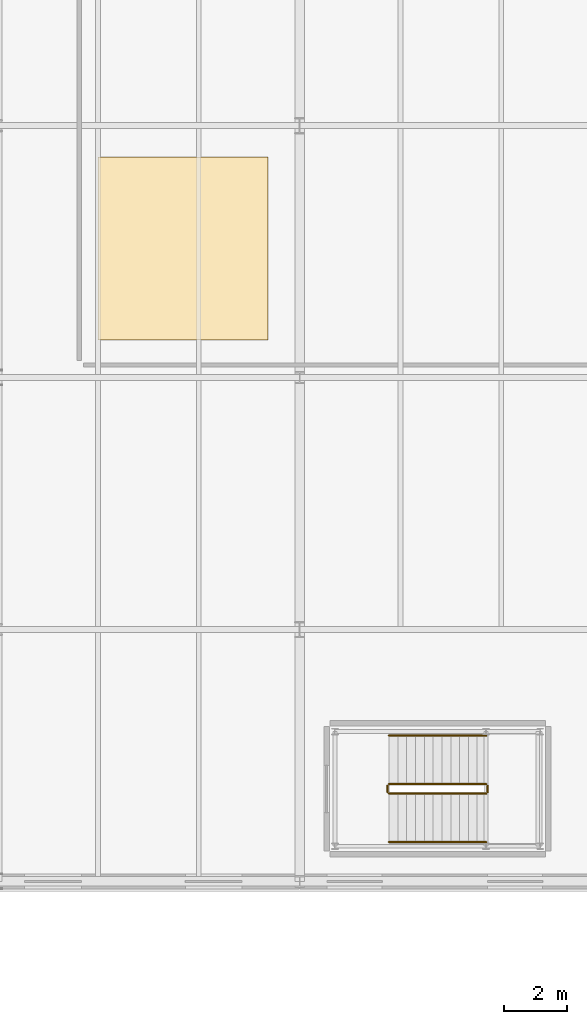
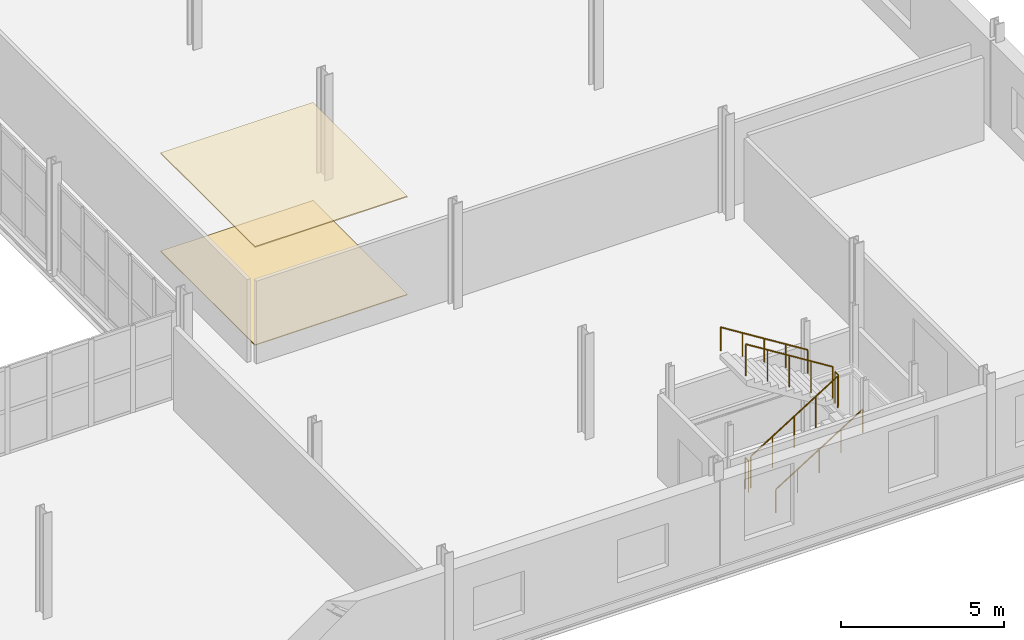
# One storey, part 77 of 78: 6 railings, 2 coverings.
"""IFC4 building model written with IfcOpenShell, lengths in metres."""

from ifc_helpers import new_model, si_unit, direction, frame, origin, origin_2d, place, context, subcontext, project, spatial, polyline, circle, outline, extrude, material, layer, layer_set, type_object, element, save


model = new_model("IFC4")

# Units and contexts
model_context = context("Model", 3, precision=1e-05, world=origin(), true_north=direction((0.0, 1.0)))
body_context = subcontext(model_context, "Body", "Model", "MODEL_VIEW")
ifc_project = project(units=[si_unit("LENGTHUNIT", "METRE"), si_unit("AREAUNIT", "SQUARE_METRE"), si_unit("VOLUMEUNIT", "CUBIC_METRE"), si_unit("PLANEANGLEUNIT", "RADIAN"), si_unit("MASSUNIT", "GRAM", prefix="KILO")], contexts=[model_context])

# Site, building, storey
site_placement = place(None, origin())
site = spatial("IfcSite", under=ifc_project, at=site_placement, CompositionType="ELEMENT")
building_placement = place(site_placement, origin())
building = spatial("IfcBuilding", under=site, at=building_placement, Name="Alderhovde Museum", CompositionType="ELEMENT")
storey_placement = place(building_placement, frame((0.0, 0.0, 4.5)))
storey = spatial("IfcBuildingStorey", under=building, at=storey_placement, Name="L01", CompositionType="ELEMENT", Elevation=4.5)

# Coverings
ifc_material_1 = material(Name="Perforated Gypsum Acoustic Ceiling")
ifc_layer_1 = layer(ifc_material_1, 0.0400390625)
ifc_layer_set_1 = layer_set([ifc_layer_1], Name="Perforated Gypsum Acoustic Ceiling")
covering_type_1 = type_object("IfcCoveringType", Name="COV-CEIL-ACOU", PredefinedType="CEILING", material=ifc_layer_set_1)
covering_1_placement = place(storey_placement, frame((0.0, 0.0, 3.669921875)))
element("IfcCovering", 1, at=covering_1_placement, inside=storey, type_object=covering_type_1, Name="L01 Acoustic Gallery Ceiling 4", PredefinedType="CEILING", context=body_context, shape_type="SweptSolid", body=[
    extrude(outline(polyline([(147.199951171875, 49.199951171875), (152.60009765625, 49.199951171875), (152.60009765625, 55.0), (147.199951171875, 55.0), (147.199951171875, 49.199951171875)])), origin(), (0.0, 0.0, 1.0), 0.0400390625),
])
ifc_material_2 = material(Name="Honed Nordic Granite Terrazzo Flooring", Category="masonry")
ifc_layer_2 = layer(ifc_material_2, 0.030029296875)
ifc_layer_set_2 = layer_set([ifc_layer_2], Name="Honed Nordic Granite Terrazzo Flooring")
covering_type_2 = type_object("IfcCoveringType", Name="COV-FLR-TERRAZZO", PredefinedType="FLOORING", material=ifc_layer_set_2)
covering_2_placement = place(storey_placement, origin())
element("IfcCovering", 2, at=covering_2_placement, inside=storey, type_object=covering_type_2, Name="L01 Granite Terrazzo Flooring 4", PredefinedType="FLOORING", context=body_context, shape_type="SweptSolid", body=[
    extrude(outline(polyline([(147.199951171875, 49.199951171875), (152.60009765625, 49.199951171875), (152.60009765625, 55.0), (147.199951171875, 55.0), (147.199951171875, 49.199951171875)])), origin(), (0.0, 0.0, 1.0), 0.030029296875),
])

# Railings
ifc_material_3 = material(Name="Painted Steel S355 Guardrail", Category="steel")
railing_type_1 = type_object("IfcRailingType", Name="RL-GUARD-1200", PredefinedType="GUARDRAIL", material=ifc_material_3)
railing_1_placement = place(storey_placement, frame((156.43994140625, 34.7900390625, 0.175048828125)))
element("IfcRailing", 3, at=railing_1_placement, inside=storey, type_object=railing_type_1, Name="L01 ST7 stair guard 1", PredefinedType="GUARDRAIL", context=body_context, shape_type="SweptSolid", body=[
    extrude(circle(Radius=0.02392578125, at=origin_2d()), frame((0.0, 0.0, 1.17578125), z_axis=(0.847998304005, 0.0, 0.529998940003), x_axis=(0.0, 1.0, 0.0)), (0.0, 0.0, 1.0), 3.632080078125),
    extrude(circle(Radius=0.02099609375, at=origin_2d()), origin(), (0.0, 0.0, 1.0), 1.15185546875),
    extrude(circle(Radius=0.02099609375, at=origin_2d()), frame((0.77001953125, 0.0, 0.481201171875)), (0.0, 0.0, 1.0), 1.15185546875),
    extrude(circle(Radius=0.02099609375, at=origin_2d()), frame((1.5400390625, 0.0, 0.96240234375)), (0.0, 0.0, 1.0), 1.15185546875),
    extrude(circle(Radius=0.02099609375, at=origin_2d()), frame((2.31005859375, 0.0, 1.44384765625)), (0.0, 0.0, 1.0), 1.15185546875),
    extrude(circle(Radius=0.02099609375, at=origin_2d()), frame((3.080078125, 0.0, 1.925048828125)), (0.0, 0.0, 1.0), 1.15185546875),
])
railing_2_placement = place(storey_placement, frame((159.570068359375, 34.840087890625, 2.10009765625)))
element("IfcRailing", 4, at=railing_2_placement, inside=storey, type_object=railing_type_1, Name="L01 ST7 stair guard 2", PredefinedType="GUARDRAIL", context=body_context, shape_type="SweptSolid", body=[
    extrude(circle(Radius=0.02392578125, at=origin_2d()), frame((0.0, 0.0, 1.17578125), z_axis=(0.0, 1.0, 0.0), x_axis=(-1.0, 0.0, 0.0)), (0.0, 0.0, 1.0), 0.199951171875),
    extrude(circle(Radius=0.02099609375, at=origin_2d()), origin(), (0.0, 0.0, 1.0), 1.15185546875),
    extrude(circle(Radius=0.02099609375, at=origin_2d()), frame((0.0, 0.199951171875, 0.0)), (0.0, 0.0, 1.0), 1.15185546875),
])
railing_3_placement = place(storey_placement, frame((159.52001953125, 35.090087890625, 2.27490234375)))
element("IfcRailing", 5, at=railing_3_placement, inside=storey, type_object=railing_type_1, Name="L01 ST7 stair guard 3", PredefinedType="GUARDRAIL", context=body_context, shape_type="SweptSolid", body=[
    extrude(circle(Radius=0.02392578125, at=origin_2d()), frame((0.0, 0.0, 1.17578125), z_axis=(-0.847998304005, 0.0, 0.529998940003), x_axis=(0.0, -1.0, 0.0)), (0.0, 0.0, 1.0), 3.632080078125),
    extrude(circle(Radius=0.02099609375, at=origin_2d()), origin(), (0.0, 0.0, 1.0), 1.15185546875),
    extrude(circle(Radius=0.02099609375, at=origin_2d()), frame((-0.77001953125, 0.0, 0.481201171875)), (0.0, 0.0, 1.0), 1.15185546875),
    extrude(circle(Radius=0.02099609375, at=origin_2d()), frame((-1.5400390625, 0.0, 0.96240234375)), (0.0, 0.0, 1.0), 1.15185546875),
    extrude(circle(Radius=0.02099609375, at=origin_2d()), frame((-2.31005859375, 0.0, 1.44384765625)), (0.0, 0.0, 1.0), 1.15185546875),
    extrude(circle(Radius=0.02099609375, at=origin_2d()), frame((-3.080078125, 0.0, 1.925048828125)), (0.0, 0.0, 1.0), 1.15185546875),
])
railing_4_placement = place(storey_placement, frame((156.389892578125, 34.840087890625, 0.0)))
element("IfcRailing", 6, at=railing_4_placement, inside=storey, type_object=railing_type_1, Name="L01 ST7 stair guard 4", PredefinedType="GUARDRAIL", context=body_context, shape_type="SweptSolid", body=[
    extrude(circle(Radius=0.02392578125, at=origin_2d()), frame((0.0, 0.0, 1.17578125), z_axis=(0.0, 1.0, 0.0), x_axis=(-1.0, 0.0, 0.0)), (0.0, 0.0, 1.0), 0.199951171875),
    extrude(circle(Radius=0.02099609375, at=origin_2d()), origin(), (0.0, 0.0, 1.0), 1.15185546875),
    extrude(circle(Radius=0.02099609375, at=origin_2d()), frame((0.0, 0.199951171875, 0.0)), (0.0, 0.0, 1.0), 1.15185546875),
])
ifc_material_4 = material(Name="Brushed Stainless Steel Handrail", Category="steel")
railing_type_2 = type_object("IfcRailingType", Name="RL-HANDRAIL-900", PredefinedType="HANDRAIL", material=ifc_material_4)
railing_5_placement = place(storey_placement, frame((156.43994140625, 33.25, 0.175048828125)))
element("IfcRailing", 7, at=railing_5_placement, inside=storey, type_object=railing_type_2, Name="L01 ST7 stair handrail 1", PredefinedType="HANDRAIL", context=body_context, shape_type="SweptSolid", body=[
    extrude(circle(Radius=0.02392578125, at=origin_2d()), frame((0.0, 0.0, 0.8759765625), z_axis=(0.847998304005, 0.0, 0.529998940003), x_axis=(0.0, 1.0, 0.0)), (0.0, 0.0, 1.0), 3.632080078125),
    extrude(circle(Radius=0.02099609375, at=origin_2d()), origin(), (0.0, 0.0, 1.0), 0.851806640625),
    extrude(circle(Radius=0.02099609375, at=origin_2d()), frame((0.77001953125, 0.0, 0.481201171875)), (0.0, 0.0, 1.0), 0.851806640625),
    extrude(circle(Radius=0.02099609375, at=origin_2d()), frame((1.5400390625, 0.0, 0.96240234375)), (0.0, 0.0, 1.0), 0.851806640625),
    extrude(circle(Radius=0.02099609375, at=origin_2d()), frame((2.31005859375, 0.0, 1.44384765625)), (0.0, 0.0, 1.0), 0.851806640625),
    extrude(circle(Radius=0.02099609375, at=origin_2d()), frame((3.080078125, 0.0, 1.925048828125)), (0.0, 0.0, 1.0), 0.851806640625),
])
railing_6_placement = place(storey_placement, frame((159.52001953125, 36.6298828125, 2.27490234375)))
element("IfcRailing", 8, at=railing_6_placement, inside=storey, type_object=railing_type_2, Name="L01 ST7 stair handrail 2", PredefinedType="HANDRAIL", context=body_context, shape_type="SweptSolid", body=[
    extrude(circle(Radius=0.02392578125, at=origin_2d()), frame((0.0, 0.0, 0.8759765625), z_axis=(-0.847998304005, 0.0, 0.529998940003), x_axis=(0.0, -1.0, 0.0)), (0.0, 0.0, 1.0), 3.632080078125),
    extrude(circle(Radius=0.02099609375, at=origin_2d()), origin(), (0.0, 0.0, 1.0), 0.851806640625),
    extrude(circle(Radius=0.02099609375, at=origin_2d()), frame((-0.77001953125, 0.0, 0.481201171875)), (0.0, 0.0, 1.0), 0.851806640625),
    extrude(circle(Radius=0.02099609375, at=origin_2d()), frame((-1.5400390625, 0.0, 0.96240234375)), (0.0, 0.0, 1.0), 0.851806640625),
    extrude(circle(Radius=0.02099609375, at=origin_2d()), frame((-2.31005859375, 0.0, 1.44384765625)), (0.0, 0.0, 1.0), 0.851806640625),
    extrude(circle(Radius=0.02099609375, at=origin_2d()), frame((-3.080078125, 0.0, 1.925048828125)), (0.0, 0.0, 1.0), 0.851806640625),
])

save(model, "model.ifc")
